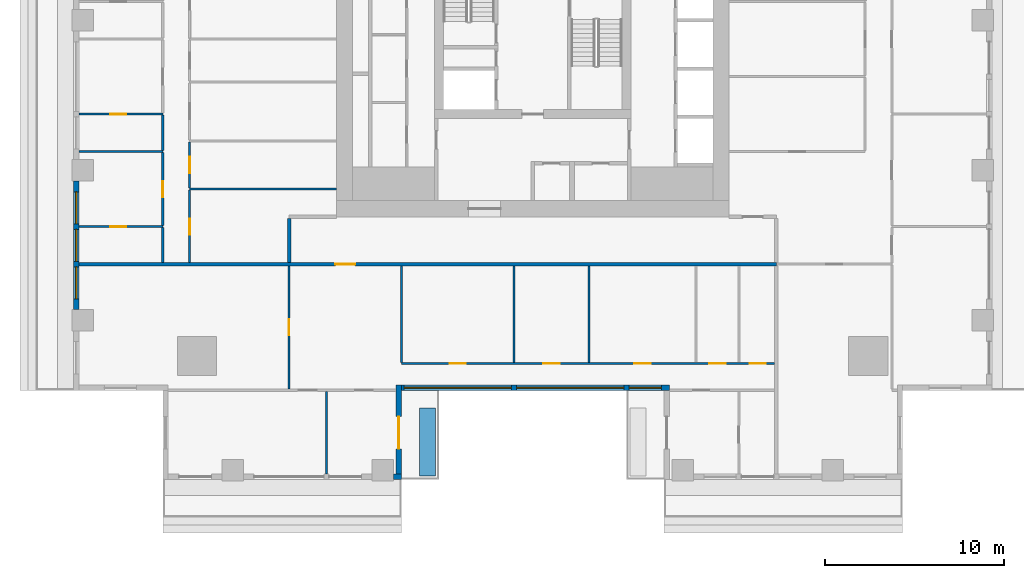
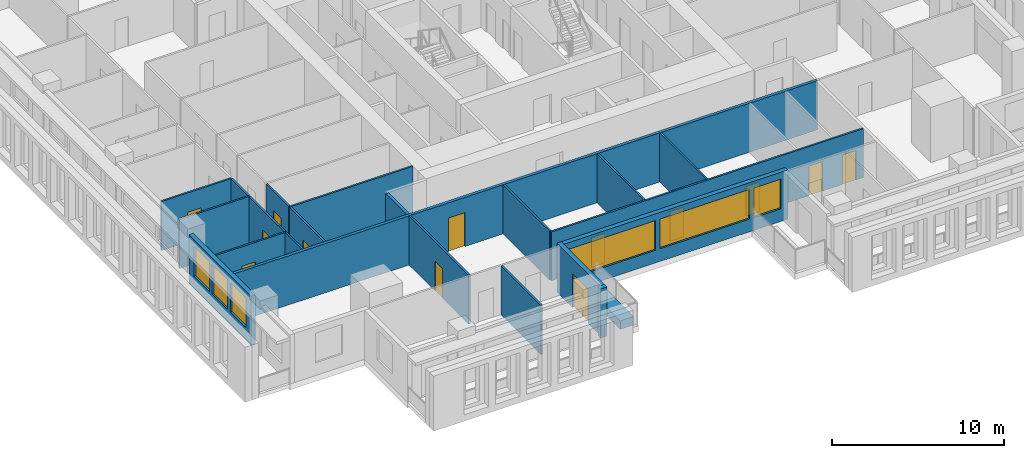
# One storey, part 2 of 15: 22 walls, 13 doors, 6 windows, 19 openings.
"""IFC4 building model written with IfcOpenShell, lengths in metres."""

from ifc_helpers import new_model, si_unit, direction, frame, frame_2d, origin, place, context, subcontext, project, spatial, rectangle, extrude, material, layer, layer_set, type_object, element, fill, save


model = new_model("IFC4")

# Units and contexts
model_context = context("Model", 3, precision=1e-05, world=origin(), true_north=direction((0.0, 1.0)))
body_context = subcontext(model_context, "Body", "Model", "MODEL_VIEW")
ifc_project = project(units=[si_unit("LENGTHUNIT", "METRE"), si_unit("AREAUNIT", "SQUARE_METRE"), si_unit("VOLUMEUNIT", "CUBIC_METRE"), si_unit("PLANEANGLEUNIT", "RADIAN"), si_unit("MASSUNIT", "GRAM", prefix="KILO")], contexts=[model_context])

# Site, building, storey
site_placement = place(None, origin())
site = spatial("IfcSite", under=ifc_project, at=site_placement, CompositionType="ELEMENT")
building_placement = place(site_placement, origin())
building = spatial("IfcBuilding", under=site, at=building_placement, Name="Khepri Terraces", CompositionType="ELEMENT")
storey_placement = place(building_placement, frame((0.0, 0.0, 256.199951171875)))
storey = spatial("IfcBuildingStorey", under=building, at=storey_placement, Name="L61", CompositionType="ELEMENT", Elevation=256.199951171875)

# Wall, opening, door
ifc_material_1 = material(Name="Fire-rated gypsum plasterboard partition, mineral wool")
ifc_layer_1 = layer(ifc_material_1, 0.199951171875, Name="Fire-rated gypsum plasterboard partition, mineral wool")
ifc_layer_set_1 = layer_set([ifc_layer_1], Name="Fire-rated gypsum plasterboard partition, mineral wool")
wall_type_1 = type_object("IfcWallType", Name="WL-CORR-200", PredefinedType="PARTITIONING", material=ifc_layer_set_1)
wall_1_placement = place(storey_placement, frame((-25.419921875, -13.64990234375, 0.0), z_axis=(0.0, 0.0, 1.0), x_axis=(1.0, 0.0, 0.0)))
wall_1 = element("IfcWall", 1, at=wall_1_placement, inside=storey, type_object=wall_type_1, Name="Partition P-015 L61", PredefinedType="PARTITIONING", context=body_context, shape_type="SweptSolid", body=[
    extrude(rectangle(XDim=39.06982421875, YDim=0.199951171875, at=frame_2d((19.534912109375, 0.0))), origin(), (0.0, 0.0, 1.0), 3.47998046875),
])
opening_1_placement = place(wall_1_placement, frame((14.3701171875, 0.0, 0.0)))
opening_1 = element("IfcOpeningElement", 2, at=opening_1_placement, cuts=wall_1, Name="Opening D1", PredefinedType="OPENING", context=body_context, shape_type="SweptSolid", body=[
    extrude(rectangle(XDim=1.10009765625, YDim=2.39990234375, at=frame_2d((0.550048828125, 1.199951171875))), frame((0.0, 0.10986328125, 0.0), z_axis=(0.0, -1.0, 0.0), x_axis=(1.0, 0.0, 0.0)), (0.0, 0.0, 1.0), 0.219970703125),
])
ifc_material_2 = material(Name="Solid-core timber door leaf, flat entrance door", Category="wood")
door_type_1 = type_object("IfcDoorType", Name="DR-ENT-1100", OperationType="NOTDEFINED", PredefinedType="DOOR", material=ifc_material_2)
door_1_placement = place(opening_1_placement, frame((1.10009765625, 0.0, 0.0), z_axis=(0.0, 0.0, 1.0), x_axis=(-1.0, 0.0, 0.0)))
door_1 = element("IfcDoor", 3, at=door_1_placement, inside=storey, type_object=door_type_1, Name="Flat A1 entrance door", OperationType="SINGLE_SWING_RIGHT", OverallHeight=2.39990234375, OverallWidth=1.10009765625, PredefinedType="DOOR", context=body_context, shape_type="SweptSolid", body=[
    extrude(rectangle(XDim=1.10009765625, YDim=2.39990234375, at=frame_2d((0.550048828125, 1.199951171875))), frame((0.0, 0.02490234375, 0.0), z_axis=(0.0, -1.0, 0.0), x_axis=(1.0, 0.0, 0.0)), (0.0, 0.0, 1.0), 0.050048828125),
])
fill(opening_1, door_1)

# Wall
wall_2_placement = place(storey_placement, frame((-13.64990234375, -13.550048828125, 0.0), z_axis=(0.0, 0.0, 1.0), x_axis=(0.0, 1.0, 0.0)))
element("IfcWall", 4, at=wall_2_placement, inside=storey, type_object=wall_type_1, Name="Partition P-020 L61", PredefinedType="PARTITIONING", context=body_context, shape_type="SweptSolid", body=[
    extrude(rectangle(XDim=2.449951171875, YDim=0.199951171875, at=frame_2d((1.22509765625, 0.0))), origin(), (0.0, 0.0, 1.0), 3.47998046875),
])

# Wall, openings, windows
ifc_material_3 = material(Name="Precast concrete C50/60 warm stone", Category="masonry")
ifc_layer_2 = layer(ifc_material_3, 0.300048828125, Name="Precast concrete C50/60 warm stone", Category="masonry")
ifc_layer_set_2 = layer_set([ifc_layer_2], Name="Precast concrete C50/60 warm stone")
wall_type_2 = type_object("IfcWallType", Name="WL-EXT-PRECAST-300", PredefinedType="STANDARD", material=ifc_layer_set_2)
wall_3_placement = place(storey_placement, frame((-25.570068359375, -9.0, 0.0), z_axis=(0.0, 0.0, 1.0), x_axis=(0.0, -1.0, 0.0)))
wall_3 = element("IfcWall", 5, at=wall_3_placement, inside=storey, type_object=wall_type_2, Name="External wall L61 W", PredefinedType="STANDARD", context=body_context, shape_type="SweptSolid", body=[
    extrude(rectangle(XDim=7.199951171875, YDim=0.300048828125, at=frame_2d((3.60009765625, 0.0))), origin(), (0.0, 0.0, 1.0), 3.47998046875),
])
opening_2_placement = place(wall_3_placement, frame((0.60009765625, 0.0, 0.89990234375)))
opening_2 = element("IfcOpeningElement", 6, at=opening_2_placement, cuts=wall_3, Name="Opening W1", PredefinedType="OPENING", context=body_context, shape_type="SweptSolid", body=[
    extrude(rectangle(XDim=1.800048828125, YDim=2.10009765625, at=frame_2d((0.89990234375, 1.050048828125))), frame((0.0, 0.16015625, 0.0), z_axis=(0.0, -1.0, 0.0), x_axis=(1.0, 0.0, 0.0)), (0.0, 0.0, 1.0), 0.320068359375),
])
opening_3_placement = place(wall_3_placement, frame((2.699951171875, 0.0, 0.89990234375)))
opening_3 = element("IfcOpeningElement", 7, at=opening_3_placement, cuts=wall_3, Name="Opening W1", PredefinedType="OPENING", context=body_context, shape_type="SweptSolid", body=[
    extrude(rectangle(XDim=1.800048828125, YDim=2.10009765625, at=frame_2d((0.89990234375, 1.050048828125))), frame((0.0, 0.16015625, 0.0), z_axis=(0.0, -1.0, 0.0), x_axis=(1.0, 0.0, 0.0)), (0.0, 0.0, 1.0), 0.320068359375),
])
opening_4_placement = place(wall_3_placement, frame((4.800048828125, 0.0, 0.89990234375)))
opening_4 = element("IfcOpeningElement", 8, at=opening_4_placement, cuts=wall_3, Name="Opening W1", PredefinedType="OPENING", context=body_context, shape_type="SweptSolid", body=[
    extrude(rectangle(XDim=1.800048828125, YDim=2.10009765625, at=frame_2d((0.89990234375, 1.050048828125))), frame((0.0, 0.16015625, 0.0), z_axis=(0.0, -1.0, 0.0), x_axis=(1.0, 0.0, 0.0)), (0.0, 0.0, 1.0), 0.320068359375),
])
ifc_material_4 = material(Name="Clear glass", Category="glass")
window_type_1 = type_object("IfcWindowType", Name="WIN-RES-1800x2100", PartitioningType="SINGLE_PANEL", PredefinedType="WINDOW", material=ifc_material_4)
window_1_placement = place(opening_2_placement, origin())
window_1 = element("IfcWindow", 9, at=window_1_placement, inside=storey, type_object=window_type_1, Name="Window L61 W", OverallHeight=2.10009765625, OverallWidth=1.800048828125, PartitioningType="SINGLE_PANEL", PredefinedType="WINDOW", context=body_context, shape_type="SweptSolid", body=[
    extrude(rectangle(XDim=1.800048828125, YDim=2.10009765625, at=frame_2d((0.89990234375, 1.050048828125))), frame((0.0, 0.030029296875, 0.0), z_axis=(0.0, -1.0, 0.0), x_axis=(1.0, 0.0, 0.0)), (0.0, 0.0, 1.0), 0.06005859375),
])
fill(opening_2, window_1)
window_2_placement = place(opening_3_placement, origin())
window_2 = element("IfcWindow", 10, at=window_2_placement, inside=storey, type_object=window_type_1, Name="Window L61 W", OverallHeight=2.10009765625, OverallWidth=1.800048828125, PartitioningType="SINGLE_PANEL", PredefinedType="WINDOW", context=body_context, shape_type="SweptSolid", body=[
    extrude(rectangle(XDim=1.800048828125, YDim=2.10009765625, at=frame_2d((0.89990234375, 1.050048828125))), frame((0.0, 0.030029296875, 0.0), z_axis=(0.0, -1.0, 0.0), x_axis=(1.0, 0.0, 0.0)), (0.0, 0.0, 1.0), 0.06005859375),
])
fill(opening_3, window_2)
window_3_placement = place(opening_4_placement, origin())
window_3 = element("IfcWindow", 11, at=window_3_placement, inside=storey, type_object=window_type_1, Name="Window L61 W", OverallHeight=2.10009765625, OverallWidth=1.800048828125, PartitioningType="SINGLE_PANEL", PredefinedType="WINDOW", context=body_context, shape_type="SweptSolid", body=[
    extrude(rectangle(XDim=1.800048828125, YDim=2.10009765625, at=frame_2d((0.89990234375, 1.050048828125))), frame((0.0, 0.030029296875, 0.0), z_axis=(0.0, -1.0, 0.0), x_axis=(1.0, 0.0, 0.0)), (0.0, 0.0, 1.0), 0.06005859375),
])
fill(opening_4, window_3)

# Wall
wall_4_placement = place(storey_placement, frame((-7.800048828125, -25.570068359375, 0.0), z_axis=(0.0, 0.0, 1.0), x_axis=(1.0, 0.0, 0.0)))
element("IfcWall", 12, at=wall_4_placement, inside=storey, type_object=wall_type_2, Name="External wall L61 S", PredefinedType="STANDARD", context=body_context, shape_type="SweptSolid", body=[
    extrude(rectangle(XDim=0.449951171875, YDim=0.300048828125, at=frame_2d((0.22509765625, 0.0))), origin(), (0.0, 0.0, 1.0), 3.47998046875),
])

# Wall, opening, door
wall_5_placement = place(storey_placement, frame((-7.5, -25.419921875, 0.0), z_axis=(0.0, 0.0, 1.0), x_axis=(0.0, 1.0, 0.0)))
wall_5 = element("IfcWall", 13, at=wall_5_placement, inside=storey, type_object=wall_type_2, Name="External wall L61 E", PredefinedType="STANDARD", context=body_context, shape_type="SweptSolid", body=[
    extrude(rectangle(XDim=5.0, YDim=0.300048828125, at=frame_2d((2.5, 0.0))), origin(), (0.0, 0.0, 1.0), 3.47998046875),
])
opening_5_placement = place(wall_5_placement, frame((1.419921875, 0.0, 0.0)))
opening_5 = element("IfcOpeningElement", 14, at=opening_5_placement, cuts=wall_5, Name="Opening ED-L61-18", PredefinedType="OPENING", context=body_context, shape_type="SweptSolid", body=[
    extrude(rectangle(XDim=1.800048828125, YDim=2.39990234375, at=frame_2d((0.89990234375, 1.199951171875))), frame((0.0, 0.16015625, 0.0), z_axis=(0.0, -1.0, 0.0), x_axis=(1.0, 0.0, 0.0)), (0.0, 0.0, 1.0), 0.320068359375),
])
ifc_material_5 = material(Name="Anodised aluminium bronze glazed door", Category="aluminium")
door_type_2 = type_object("IfcDoorType", Name="DR-BAL-SLIDE-1800x2400", OperationType="NOTDEFINED", PredefinedType="DOOR", material=ifc_material_5)
door_2_placement = place(opening_5_placement, origin())
door_2 = element("IfcDoor", 15, at=door_2_placement, inside=storey, type_object=door_type_2, Name="Balcony door L61 E", OperationType="SLIDING_TO_LEFT", OverallHeight=2.39990234375, OverallWidth=1.800048828125, PredefinedType="DOOR", context=body_context, shape_type="SweptSolid", body=[
    extrude(rectangle(XDim=1.800048828125, YDim=2.39990234375, at=frame_2d((0.89990234375, 1.199951171875))), frame((0.0, 0.02490234375, 0.0), z_axis=(0.0, -1.0, 0.0), x_axis=(1.0, 0.0, 0.0)), (0.0, 0.0, 1.0), 0.050048828125),
])
fill(opening_5, door_2)

# Wall, openings, windows
wall_6_placement = place(storey_placement, frame((-7.35009765625, -20.570068359375, 0.0), z_axis=(0.0, 0.0, 1.0), x_axis=(1.0, 0.0, 0.0)))
wall_6 = element("IfcWall", 16, at=wall_6_placement, inside=storey, type_object=wall_type_2, Name="External wall L61 S", PredefinedType="STANDARD", context=body_context, shape_type="SweptSolid", body=[
    extrude(rectangle(XDim=15.0, YDim=0.300048828125, at=frame_2d((7.5, 0.0))), origin(), (0.0, 0.0, 1.0), 3.47998046875),
])
opening_6_placement = place(wall_6_placement, frame((0.14990234375, 0.0, 0.89990234375)))
opening_6 = element("IfcOpeningElement", 17, at=opening_6_placement, cuts=wall_6, Name="Opening W3", PredefinedType="OPENING", context=body_context, shape_type="SweptSolid", body=[
    extrude(rectangle(XDim=6.0, YDim=2.10009765625, at=frame_2d((3.0, 1.050048828125))), frame((0.0, 0.16015625, 0.0), z_axis=(0.0, -1.0, 0.0), x_axis=(1.0, 0.0, 0.0)), (0.0, 0.0, 1.0), 0.320068359375),
])
opening_7_placement = place(wall_6_placement, frame((6.449951171875, 0.0, 0.89990234375)))
opening_7 = element("IfcOpeningElement", 18, at=opening_7_placement, cuts=wall_6, Name="Opening W3", PredefinedType="OPENING", context=body_context, shape_type="SweptSolid", body=[
    extrude(rectangle(XDim=6.0, YDim=2.10009765625, at=frame_2d((3.0, 1.050048828125))), frame((0.0, 0.16015625, 0.0), z_axis=(0.0, -1.0, 0.0), x_axis=(1.0, 0.0, 0.0)), (0.0, 0.0, 1.0), 0.320068359375),
])
opening_8_placement = place(wall_6_placement, frame((12.75, 0.0, 0.89990234375)))
opening_8 = element("IfcOpeningElement", 19, at=opening_8_placement, cuts=wall_6, Name="Opening W1", PredefinedType="OPENING", context=body_context, shape_type="SweptSolid", body=[
    extrude(rectangle(XDim=1.800048828125, YDim=2.10009765625, at=frame_2d((0.89990234375, 1.050048828125))), frame((0.0, 0.16015625, 0.0), z_axis=(0.0, -1.0, 0.0), x_axis=(1.0, 0.0, 0.0)), (0.0, 0.0, 1.0), 0.320068359375),
])
window_4_placement = place(opening_8_placement, origin())
window_4 = element("IfcWindow", 20, at=window_4_placement, inside=storey, type_object=window_type_1, Name="Window L61 S", OverallHeight=2.10009765625, OverallWidth=1.800048828125, PartitioningType="SINGLE_PANEL", PredefinedType="WINDOW", context=body_context, shape_type="SweptSolid", body=[
    extrude(rectangle(XDim=1.800048828125, YDim=2.10009765625, at=frame_2d((0.89990234375, 1.050048828125))), frame((0.0, 0.030029296875, 0.0), z_axis=(0.0, -1.0, 0.0), x_axis=(1.0, 0.0, 0.0)), (0.0, 0.0, 1.0), 0.06005859375),
])
fill(opening_8, window_4)
window_type_2 = type_object("IfcWindowType", Name="WIN-RES-6000x2100", PartitioningType="SINGLE_PANEL", PredefinedType="WINDOW", material=ifc_material_4)
window_5_placement = place(opening_6_placement, origin())
window_5 = element("IfcWindow", 21, at=window_5_placement, inside=storey, type_object=window_type_2, Name="Window L61 S", OverallHeight=2.10009765625, OverallWidth=6.0, PartitioningType="SINGLE_PANEL", PredefinedType="WINDOW", context=body_context, shape_type="SweptSolid", body=[
    extrude(rectangle(XDim=6.0, YDim=2.10009765625, at=frame_2d((3.0, 1.050048828125))), frame((0.0, 0.030029296875, 0.0), z_axis=(0.0, -1.0, 0.0), x_axis=(1.0, 0.0, 0.0)), (0.0, 0.0, 1.0), 0.06005859375),
])
fill(opening_6, window_5)
window_6_placement = place(opening_7_placement, origin())
window_6 = element("IfcWindow", 22, at=window_6_placement, inside=storey, type_object=window_type_2, Name="Window L61 S", OverallHeight=2.10009765625, OverallWidth=6.0, PartitioningType="SINGLE_PANEL", PredefinedType="WINDOW", context=body_context, shape_type="SweptSolid", body=[
    extrude(rectangle(XDim=6.0, YDim=2.10009765625, at=frame_2d((3.0, 1.050048828125))), frame((0.0, 0.030029296875, 0.0), z_axis=(0.0, -1.0, 0.0), x_axis=(1.0, 0.0, 0.0)), (0.0, 0.0, 1.0), 0.06005859375),
])
fill(opening_7, window_6)

# Wall
ifc_material_6 = material(Name="Gypsum plasterboard partition")
ifc_layer_3 = layer(ifc_material_6, 0.1201171875, Name="Gypsum plasterboard partition")
ifc_layer_set_3 = layer_set([ifc_layer_3], Name="Gypsum plasterboard partition")
wall_type_3 = type_object("IfcWallType", Name="WL-PART-120", PredefinedType="PARTITIONING", material=ifc_layer_set_3)
wall_7_placement = place(storey_placement, frame((-11.550048828125, -25.419921875, 0.0), z_axis=(0.0, 0.0, 1.0), x_axis=(0.0, 1.0, 0.0)))
element("IfcWall", 23, at=wall_7_placement, inside=storey, type_object=wall_type_3, Name="Partition P-001 L61", PredefinedType="PARTITIONING", context=body_context, shape_type="SweptSolid", body=[
    extrude(rectangle(XDim=4.639892578125, YDim=0.1201171875, at=frame_2d((2.31982421875, 0.0))), origin(), (0.0, 0.0, 1.0), 3.47998046875),
])

# Wall, opening, door
wall_8_placement = place(storey_placement, frame((-13.64990234375, -20.659912109375, 0.0), z_axis=(0.0, 0.0, 1.0), x_axis=(0.0, 1.0, 0.0)))
wall_8 = element("IfcWall", 24, at=wall_8_placement, inside=storey, type_object=wall_type_3, Name="Partition P-007 L61", PredefinedType="PARTITIONING", context=body_context, shape_type="SweptSolid", body=[
    extrude(rectangle(XDim=6.909912109375, YDim=0.1201171875, at=frame_2d((3.455078125, 0.0))), origin(), (0.0, 0.0, 1.0), 3.47998046875),
])
opening_9_placement = place(wall_8_placement, frame((3.02490234375, 0.0, 0.0)))
opening_9 = element("IfcOpeningElement", 25, at=opening_9_placement, cuts=wall_8, Name="Opening D3", PredefinedType="OPENING", context=body_context, shape_type="SweptSolid", body=[
    extrude(rectangle(XDim=0.89990234375, YDim=2.10009765625, at=frame_2d((0.449951171875, 1.050048828125))), frame((0.0, 0.070068359375, 0.0), z_axis=(0.0, -1.0, 0.0), x_axis=(1.0, 0.0, 0.0)), (0.0, 0.0, 1.0), 0.14013671875),
])
ifc_material_7 = material(Name="Timber door leaf", Category="wood")
door_type_3 = type_object("IfcDoorType", Name="DR-INT-900", OperationType="NOTDEFINED", PredefinedType="DOOR", material=ifc_material_7)
door_3_placement = place(opening_9_placement, origin())
door_3 = element("IfcDoor", 26, at=door_3_placement, inside=storey, type_object=door_type_3, Name="Door Home Gym", OperationType="SINGLE_SWING_RIGHT", OverallHeight=2.10009765625, OverallWidth=0.89990234375, PredefinedType="DOOR", context=body_context, shape_type="SweptSolid", body=[
    extrude(rectangle(XDim=0.89990234375, YDim=2.10009765625, at=frame_2d((0.449951171875, 1.050048828125))), frame((0.0, 0.02490234375, 0.0), z_axis=(0.0, -1.0, 0.0), x_axis=(1.0, 0.0, 0.0)), (0.0, 0.0, 1.0), 0.050048828125),
])
fill(opening_9, door_3)

# Wall, openings, doors
wall_9_placement = place(storey_placement, frame((-7.35009765625, -19.219970703125, 0.0), z_axis=(0.0, 0.0, 1.0), x_axis=(1.0, 0.0, 0.0)))
wall_9 = element("IfcWall", 27, at=wall_9_placement, inside=storey, type_object=wall_type_3, Name="Partition P-009 L61", PredefinedType="PARTITIONING", context=body_context, shape_type="SweptSolid", body=[
    extrude(rectangle(XDim=20.900146484375, YDim=0.1201171875, at=frame_2d((10.4501953125, 0.0))), origin(), (0.0, 0.0, 1.0), 3.47998046875),
])
opening_10_placement = place(wall_9_placement, frame((2.699951171875, 0.0, 0.0)))
opening_10 = element("IfcOpeningElement", 28, at=opening_10_placement, cuts=wall_9, Name="Opening D3", PredefinedType="OPENING", context=body_context, shape_type="SweptSolid", body=[
    extrude(rectangle(XDim=0.89990234375, YDim=2.10009765625, at=frame_2d((0.449951171875, 1.050048828125))), frame((0.0, 0.070068359375, 0.0), z_axis=(0.0, -1.0, 0.0), x_axis=(1.0, 0.0, 0.0)), (0.0, 0.0, 1.0), 0.14013671875),
])
opening_11_placement = place(wall_9_placement, frame((7.949951171875, 0.0, 0.0)))
opening_11 = element("IfcOpeningElement", 29, at=opening_11_placement, cuts=wall_9, Name="Opening D3", PredefinedType="OPENING", context=body_context, shape_type="SweptSolid", body=[
    extrude(rectangle(XDim=0.89990234375, YDim=2.10009765625, at=frame_2d((0.449951171875, 1.050048828125))), frame((0.0, 0.070068359375, 0.0), z_axis=(0.0, -1.0, 0.0), x_axis=(1.0, 0.0, 0.0)), (0.0, 0.0, 1.0), 0.14013671875),
])
opening_12_placement = place(wall_9_placement, frame((13.050048828125, 0.0, 0.0)))
opening_12 = element("IfcOpeningElement", 30, at=opening_12_placement, cuts=wall_9, Name="Opening D3", PredefinedType="OPENING", context=body_context, shape_type="SweptSolid", body=[
    extrude(rectangle(XDim=0.89990234375, YDim=2.10009765625, at=frame_2d((0.449951171875, 1.050048828125))), frame((0.0, 0.070068359375, 0.0), z_axis=(0.0, -1.0, 0.0), x_axis=(1.0, 0.0, 0.0)), (0.0, 0.0, 1.0), 0.14013671875),
])
opening_13_placement = place(wall_9_placement, frame((17.25, 0.0, 0.0)))
opening_13 = element("IfcOpeningElement", 31, at=opening_13_placement, cuts=wall_9, Name="Opening D4", PredefinedType="OPENING", context=body_context, shape_type="SweptSolid", body=[
    extrude(rectangle(XDim=0.89990234375, YDim=2.10009765625, at=frame_2d((0.449951171875, 1.050048828125))), frame((0.0, 0.070068359375, 0.0), z_axis=(0.0, -1.0, 0.0), x_axis=(1.0, 0.0, 0.0)), (0.0, 0.0, 1.0), 0.14013671875),
])
opening_14_placement = place(wall_9_placement, frame((19.5, 0.0, 0.0)))
opening_14 = element("IfcOpeningElement", 32, at=opening_14_placement, cuts=wall_9, Name="Opening D4", PredefinedType="OPENING", context=body_context, shape_type="SweptSolid", body=[
    extrude(rectangle(XDim=0.89990234375, YDim=2.10009765625, at=frame_2d((0.449951171875, 1.050048828125))), frame((0.0, 0.070068359375, 0.0), z_axis=(0.0, -1.0, 0.0), x_axis=(1.0, 0.0, 0.0)), (0.0, 0.0, 1.0), 0.14013671875),
])
door_4_placement = place(opening_10_placement, origin())
door_4 = element("IfcDoor", 33, at=door_4_placement, inside=storey, type_object=door_type_3, Name="Door Kitchen", OperationType="SINGLE_SWING_LEFT", OverallHeight=2.10009765625, OverallWidth=0.89990234375, PredefinedType="DOOR", context=body_context, shape_type="SweptSolid", body=[
    extrude(rectangle(XDim=0.89990234375, YDim=2.10009765625, at=frame_2d((0.449951171875, 1.050048828125))), frame((0.0, 0.02490234375, 0.0), z_axis=(0.0, -1.0, 0.0), x_axis=(1.0, 0.0, 0.0)), (0.0, 0.0, 1.0), 0.050048828125),
])
fill(opening_10, door_4)
door_5_placement = place(opening_11_placement, origin())
door_5 = element("IfcDoor", 34, at=door_5_placement, inside=storey, type_object=door_type_3, Name="Door Service Kitchen", OperationType="SINGLE_SWING_LEFT", OverallHeight=2.10009765625, OverallWidth=0.89990234375, PredefinedType="DOOR", context=body_context, shape_type="SweptSolid", body=[
    extrude(rectangle(XDim=0.89990234375, YDim=2.10009765625, at=frame_2d((0.449951171875, 1.050048828125))), frame((0.0, 0.02490234375, 0.0), z_axis=(0.0, -1.0, 0.0), x_axis=(1.0, 0.0, 0.0)), (0.0, 0.0, 1.0), 0.050048828125),
])
fill(opening_11, door_5)
door_6_placement = place(opening_12_placement, origin())
door_6 = element("IfcDoor", 35, at=door_6_placement, inside=storey, type_object=door_type_3, Name="Door Staff Bedroom", OperationType="SINGLE_SWING_RIGHT", OverallHeight=2.10009765625, OverallWidth=0.89990234375, PredefinedType="DOOR", context=body_context, shape_type="SweptSolid", body=[
    extrude(rectangle(XDim=0.89990234375, YDim=2.10009765625, at=frame_2d((0.449951171875, 1.050048828125))), frame((0.0, 0.02490234375, 0.0), z_axis=(0.0, -1.0, 0.0), x_axis=(1.0, 0.0, 0.0)), (0.0, 0.0, 1.0), 0.050048828125),
])
fill(opening_12, door_6)
ifc_material_8 = material(Name="Timber door leaf, moisture resistant", Category="wood")
door_type_4 = type_object("IfcDoorType", Name="DR-WET-900", OperationType="NOTDEFINED", PredefinedType="DOOR", material=ifc_material_8)
door_7_placement = place(opening_13_placement, origin())
door_7 = element("IfcDoor", 36, at=door_7_placement, inside=storey, type_object=door_type_4, Name="Door Powder Room", OperationType="SINGLE_SWING_RIGHT", OverallHeight=2.10009765625, OverallWidth=0.89990234375, PredefinedType="DOOR", context=body_context, shape_type="SweptSolid", body=[
    extrude(rectangle(XDim=0.89990234375, YDim=2.10009765625, at=frame_2d((0.449951171875, 1.050048828125))), frame((0.0, 0.02490234375, 0.0), z_axis=(0.0, -1.0, 0.0), x_axis=(1.0, 0.0, 0.0)), (0.0, 0.0, 1.0), 0.050048828125),
])
fill(opening_13, door_7)
door_8_placement = place(opening_14_placement, origin())
door_8 = element("IfcDoor", 37, at=door_8_placement, inside=storey, type_object=door_type_4, Name="Door Guest Bathroom", OperationType="SINGLE_SWING_RIGHT", OverallHeight=2.10009765625, OverallWidth=0.89990234375, PredefinedType="DOOR", context=body_context, shape_type="SweptSolid", body=[
    extrude(rectangle(XDim=0.89990234375, YDim=2.10009765625, at=frame_2d((0.449951171875, 1.050048828125))), frame((0.0, 0.02490234375, 0.0), z_axis=(0.0, -1.0, 0.0), x_axis=(1.0, 0.0, 0.0)), (0.0, 0.0, 1.0), 0.050048828125),
])
fill(opening_14, door_8)

# Walls
for number, where, z_axis, x_axis, name in (
    (38, (-7.35009765625, -19.159912109375, 0.0), (0.0, 0.0, 1.0), (0.0, 1.0, 0.0), "Partition P-010 L61"),
    (39, (-1.050048828125, -19.159912109375, 0.0), (0.0, 0.0, 1.0), (0.0, 1.0, 0.0), "Partition P-011 L61"),
    (40, (3.14990234375, -19.159912109375, 0.0), (0.0, 0.0, 1.0), (0.0, 1.0, 0.0), "Partition P-012 L61"),
):
    element("IfcWall", number, at=place(storey_placement, frame(where, z_axis=z_axis, x_axis=x_axis)), inside=storey, type_object=wall_type_3, Name=name, PredefinedType="PARTITIONING", context=body_context, shape_type="SweptSolid", body=[
        extrude(rectangle(XDim=5.409912109375, YDim=0.1201171875, at=frame_2d((2.705078125, 0.0))), origin(), (0.0, 0.0, 1.0), 3.47998046875),
    ])
wall_10_placement = place(storey_placement, frame((-20.719970703125, -13.550048828125, 0.0), z_axis=(0.0, 0.0, 1.0), x_axis=(0.0, 1.0, 0.0)))
element("IfcWall", 41, at=wall_10_placement, inside=storey, type_object=wall_type_3, Name="Partition P-018 L61", PredefinedType="PARTITIONING", context=body_context, shape_type="SweptSolid", body=[
    extrude(rectangle(XDim=1.93994140625, YDim=0.1201171875, at=frame_2d((0.969970703125, 0.0))), origin(), (0.0, 0.0, 1.0), 3.47998046875),
])

# Wall, opening, door
wall_11_placement = place(storey_placement, frame((-19.219970703125, -13.550048828125, 0.0), z_axis=(0.0, 0.0, 1.0), x_axis=(0.0, 1.0, 0.0)))
wall_11 = element("IfcWall", 42, at=wall_11_placement, inside=storey, type_object=wall_type_3, Name="Partition P-019 L61", PredefinedType="PARTITIONING", context=body_context, shape_type="SweptSolid", body=[
    extrude(rectangle(XDim=4.0400390625, YDim=0.1201171875, at=frame_2d((2.02001953125, 0.0))), origin(), (0.0, 0.0, 1.0), 3.47998046875),
])
opening_15_placement = place(wall_11_placement, frame((1.550048828125, 0.0, 0.0)))
opening_15 = element("IfcOpeningElement", 43, at=opening_15_placement, cuts=wall_11, Name="Opening D3", PredefinedType="OPENING", context=body_context, shape_type="SweptSolid", body=[
    extrude(rectangle(XDim=0.89990234375, YDim=2.10009765625, at=frame_2d((0.449951171875, 1.050048828125))), frame((0.0, 0.070068359375, 0.0), z_axis=(0.0, -1.0, 0.0), x_axis=(1.0, 0.0, 0.0)), (0.0, 0.0, 1.0), 0.14013671875),
])
door_9_placement = place(opening_15_placement, frame((0.89990234375, 0.0, 0.0), z_axis=(0.0, 0.0, 1.0), x_axis=(-1.0, 0.0, 0.0)))
door_9 = element("IfcDoor", 44, at=door_9_placement, inside=storey, type_object=door_type_3, Name="Door Library", OperationType="SINGLE_SWING_RIGHT", OverallHeight=2.10009765625, OverallWidth=0.89990234375, PredefinedType="DOOR", context=body_context, shape_type="SweptSolid", body=[
    extrude(rectangle(XDim=0.89990234375, YDim=2.10009765625, at=frame_2d((0.449951171875, 1.050048828125))), frame((0.0, 0.02490234375, 0.0), z_axis=(0.0, -1.0, 0.0), x_axis=(1.0, 0.0, 0.0)), (0.0, 0.0, 1.0), 0.050048828125),
])
fill(opening_15, door_9)

wall_12_placement = place(storey_placement, frame((-25.419921875, -11.550048828125, 0.0), z_axis=(0.0, 0.0, 1.0), x_axis=(1.0, 0.0, 0.0)))
wall_12 = element("IfcWall", 45, at=wall_12_placement, inside=storey, type_object=wall_type_3, Name="Partition P-022 L61", PredefinedType="PARTITIONING", context=body_context, shape_type="SweptSolid", body=[
    extrude(rectangle(XDim=4.699951171875, YDim=0.1201171875, at=frame_2d((2.35009765625, 0.0))), origin(), (0.0, 0.0, 1.0), 3.47998046875),
])
opening_16_placement = place(wall_12_placement, frame((1.75, 0.0, 0.0)))
opening_16 = element("IfcOpeningElement", 46, at=opening_16_placement, cuts=wall_12, Name="Opening D4", PredefinedType="OPENING", context=body_context, shape_type="SweptSolid", body=[
    extrude(rectangle(XDim=0.89990234375, YDim=2.10009765625, at=frame_2d((0.449951171875, 1.050048828125))), frame((0.0, 0.070068359375, 0.0), z_axis=(0.0, -1.0, 0.0), x_axis=(1.0, 0.0, 0.0)), (0.0, 0.0, 1.0), 0.14013671875),
])
door_10_placement = place(opening_16_placement, frame((0.89990234375, 0.0, 0.0), z_axis=(0.0, 0.0, 1.0), x_axis=(-1.0, 0.0, 0.0)))
door_10 = element("IfcDoor", 47, at=door_10_placement, inside=storey, type_object=door_type_4, Name="Door Bathroom", OperationType="SINGLE_SWING_RIGHT", OverallHeight=2.10009765625, OverallWidth=0.89990234375, PredefinedType="DOOR", context=body_context, shape_type="SweptSolid", body=[
    extrude(rectangle(XDim=0.89990234375, YDim=2.10009765625, at=frame_2d((0.449951171875, 1.050048828125))), frame((0.0, 0.02490234375, 0.0), z_axis=(0.0, -1.0, 0.0), x_axis=(1.0, 0.0, 0.0)), (0.0, 0.0, 1.0), 0.050048828125),
])
fill(opening_16, door_10)

wall_13_placement = place(storey_placement, frame((-20.719970703125, -11.489990234375, 0.0), z_axis=(0.0, 0.0, 1.0), x_axis=(0.0, 1.0, 0.0)))
wall_13 = element("IfcWall", 48, at=wall_13_placement, inside=storey, type_object=wall_type_3, Name="Partition P-024 L61", PredefinedType="PARTITIONING", context=body_context, shape_type="SweptSolid", body=[
    extrude(rectangle(XDim=4.080078125, YDim=0.1201171875, at=frame_2d((2.0400390625, 0.0))), origin(), (0.0, 0.0, 1.0), 3.47998046875),
])
opening_17_placement = place(wall_13_placement, frame((1.590087890625, 0.0, 0.0)))
opening_17 = element("IfcOpeningElement", 49, at=opening_17_placement, cuts=wall_13, Name="Opening D3", PredefinedType="OPENING", context=body_context, shape_type="SweptSolid", body=[
    extrude(rectangle(XDim=0.89990234375, YDim=2.10009765625, at=frame_2d((0.449951171875, 1.050048828125))), frame((0.0, 0.070068359375, 0.0), z_axis=(0.0, -1.0, 0.0), x_axis=(1.0, 0.0, 0.0)), (0.0, 0.0, 1.0), 0.14013671875),
])
door_11_placement = place(opening_17_placement, origin())
door_11 = element("IfcDoor", 50, at=door_11_placement, inside=storey, type_object=door_type_3, Name="Door Bedroom", OperationType="SINGLE_SWING_RIGHT", OverallHeight=2.10009765625, OverallWidth=0.89990234375, PredefinedType="DOOR", context=body_context, shape_type="SweptSolid", body=[
    extrude(rectangle(XDim=0.89990234375, YDim=2.10009765625, at=frame_2d((0.449951171875, 1.050048828125))), frame((0.0, 0.02490234375, 0.0), z_axis=(0.0, -1.0, 0.0), x_axis=(1.0, 0.0, 0.0)), (0.0, 0.0, 1.0), 0.050048828125),
])
fill(opening_17, door_11)

# Wall
wall_14_placement = place(storey_placement, frame((-19.219970703125, -9.449951171875, 0.0), z_axis=(0.0, 0.0, 1.0), x_axis=(1.0, 0.0, 0.0)))
element("IfcWall", 51, at=wall_14_placement, inside=storey, type_object=wall_type_3, Name="Partition P-028 L61", PredefinedType="PARTITIONING", context=body_context, shape_type="SweptSolid", body=[
    extrude(rectangle(XDim=8.219970703125, YDim=0.1201171875, at=frame_2d((4.10986328125, 0.0))), origin(), (0.0, 0.0, 1.0), 3.47998046875),
])

# Wall, opening, door
wall_15_placement = place(storey_placement, frame((-19.219970703125, -9.389892578125, 0.0), z_axis=(0.0, 0.0, 1.0), x_axis=(0.0, 1.0, 0.0)))
wall_15 = element("IfcWall", 52, at=wall_15_placement, inside=storey, type_object=wall_type_3, Name="Partition P-029 L61", PredefinedType="PARTITIONING", context=body_context, shape_type="SweptSolid", body=[
    extrude(rectangle(XDim=2.579833984375, YDim=0.1201171875, at=frame_2d((1.2900390625, 0.0))), origin(), (0.0, 0.0, 1.0), 3.47998046875),
])
opening_18_placement = place(wall_15_placement, frame((0.840087890625, 0.0, 0.0)))
opening_18 = element("IfcOpeningElement", 53, at=opening_18_placement, cuts=wall_15, Name="Opening D4", PredefinedType="OPENING", context=body_context, shape_type="SweptSolid", body=[
    extrude(rectangle(XDim=0.89990234375, YDim=2.10009765625, at=frame_2d((0.449951171875, 1.050048828125))), frame((0.0, 0.070068359375, 0.0), z_axis=(0.0, -1.0, 0.0), x_axis=(1.0, 0.0, 0.0)), (0.0, 0.0, 1.0), 0.14013671875),
])
door_12_placement = place(opening_18_placement, frame((0.89990234375, 0.0, 0.0), z_axis=(0.0, 0.0, 1.0), x_axis=(-1.0, 0.0, 0.0)))
door_12 = element("IfcDoor", 54, at=door_12_placement, inside=storey, type_object=door_type_4, Name="Door Guest Bathroom", OperationType="SINGLE_SWING_LEFT", OverallHeight=2.10009765625, OverallWidth=0.89990234375, PredefinedType="DOOR", context=body_context, shape_type="SweptSolid", body=[
    extrude(rectangle(XDim=0.89990234375, YDim=2.10009765625, at=frame_2d((0.449951171875, 1.050048828125))), frame((0.0, 0.02490234375, 0.0), z_axis=(0.0, -1.0, 0.0), x_axis=(1.0, 0.0, 0.0)), (0.0, 0.0, 1.0), 0.050048828125),
])
fill(opening_18, door_12)

# Walls
wall_16_placement = place(storey_placement, frame((-25.419921875, -7.35009765625, 0.0), z_axis=(0.0, 0.0, 1.0), x_axis=(1.0, 0.0, 0.0)))
element("IfcWall", 55, at=wall_16_placement, inside=storey, type_object=wall_type_3, Name="Partition P-030 L61", PredefinedType="PARTITIONING", context=body_context, shape_type="SweptSolid", body=[
    extrude(rectangle(XDim=4.699951171875, YDim=0.1201171875, at=frame_2d((2.35009765625, 0.0))), origin(), (0.0, 0.0, 1.0), 3.47998046875),
])
wall_17_placement = place(storey_placement, frame((-20.719970703125, -7.2900390625, 0.0), z_axis=(0.0, 0.0, 1.0), x_axis=(0.0, 1.0, 0.0)))
element("IfcWall", 56, at=wall_17_placement, inside=storey, type_object=wall_type_3, Name="Partition P-032 L61", PredefinedType="PARTITIONING", context=body_context, shape_type="SweptSolid", body=[
    extrude(rectangle(XDim=1.97998046875, YDim=0.1201171875, at=frame_2d((0.989990234375, 0.0))), origin(), (0.0, 0.0, 1.0), 3.47998046875),
])

# Wall, opening, door
wall_18_placement = place(storey_placement, frame((-25.419921875, -5.25, 0.0), z_axis=(0.0, 0.0, 1.0), x_axis=(1.0, 0.0, 0.0)))
wall_18 = element("IfcWall", 57, at=wall_18_placement, inside=storey, type_object=wall_type_3, Name="Partition P-036 L61", PredefinedType="PARTITIONING", context=body_context, shape_type="SweptSolid", body=[
    extrude(rectangle(XDim=4.699951171875, YDim=0.1201171875, at=frame_2d((2.35009765625, 0.0))), origin(), (0.0, 0.0, 1.0), 3.47998046875),
])
opening_19_placement = place(wall_18_placement, frame((1.75, 0.0, 0.0)))
opening_19 = element("IfcOpeningElement", 58, at=opening_19_placement, cuts=wall_18, Name="Opening D4", PredefinedType="OPENING", context=body_context, shape_type="SweptSolid", body=[
    extrude(rectangle(XDim=0.89990234375, YDim=2.10009765625, at=frame_2d((0.449951171875, 1.050048828125))), frame((0.0, 0.070068359375, 0.0), z_axis=(0.0, -1.0, 0.0), x_axis=(1.0, 0.0, 0.0)), (0.0, 0.0, 1.0), 0.14013671875),
])
door_13_placement = place(opening_19_placement, frame((0.89990234375, 0.0, 0.0), z_axis=(0.0, 0.0, 1.0), x_axis=(-1.0, 0.0, 0.0)))
door_13 = element("IfcDoor", 59, at=door_13_placement, inside=storey, type_object=door_type_4, Name="Door Bathroom", OperationType="SINGLE_SWING_RIGHT", OverallHeight=2.10009765625, OverallWidth=0.89990234375, PredefinedType="DOOR", context=body_context, shape_type="SweptSolid", body=[
    extrude(rectangle(XDim=0.89990234375, YDim=2.10009765625, at=frame_2d((0.449951171875, 1.050048828125))), frame((0.0, 0.02490234375, 0.0), z_axis=(0.0, -1.0, 0.0), x_axis=(1.0, 0.0, 0.0)), (0.0, 0.0, 1.0), 0.050048828125),
])
fill(opening_19, door_13)

# Wall
ifc_layer_4 = layer(ifc_material_3, 0.89990234375, Name="Precast concrete C50/60 warm stone", Category="masonry")
ifc_layer_set_4 = layer_set([ifc_layer_4], Name="Precast concrete C50/60 warm stone")
wall_type_4 = type_object("IfcWallType", Name="WL-PLANTER-900", PredefinedType="MOVABLE", material=ifc_layer_set_4)
wall_19_placement = place(storey_placement, frame((-5.89990234375, -25.52001953125, 0.0), z_axis=(0.0, 0.0, 1.0), x_axis=(0.0, 1.0, 0.0)))
element("IfcWall", 60, at=wall_19_placement, inside=storey, type_object=wall_type_4, Name="Planter L61", PredefinedType="MOVABLE", context=body_context, shape_type="SweptSolid", body=[
    extrude(rectangle(XDim=3.800048828125, YDim=0.89990234375, at=frame_2d((1.89990234375, 0.0))), origin(), (0.0, 0.0, 1.0), 0.60009765625),
])

save(model, "model.ifc")
